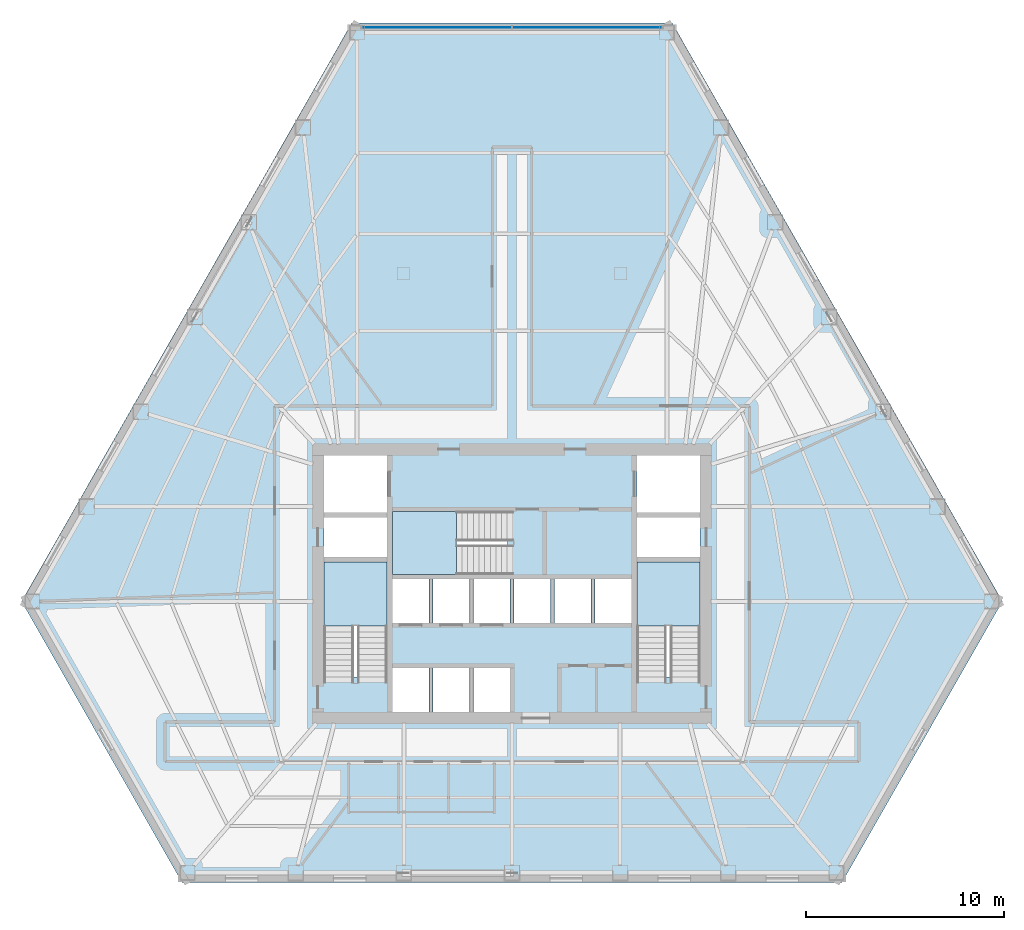
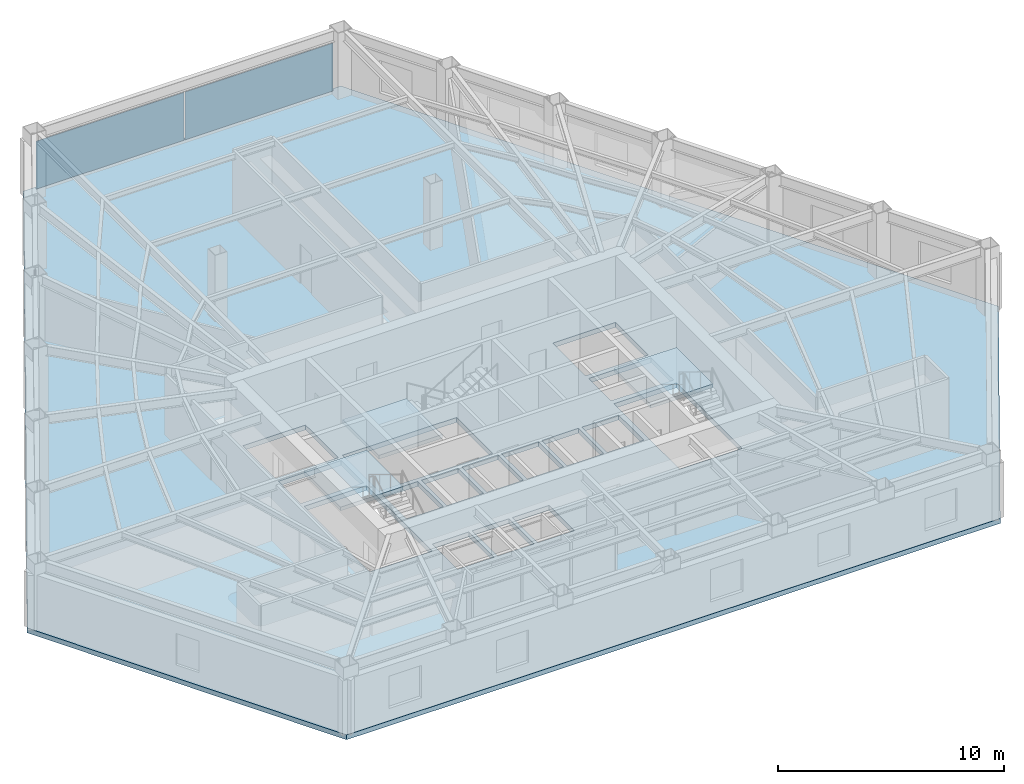
# One storey, part 4 of 12: 4 slabs, 2 plates, 4 elements without a shape of their own.
"""IFC4 building model written with IfcOpenShell, lengths in metres."""

from ifc_helpers import new_model, si_unit, direction, frame, origin, origin_2d, place, context, subcontext, project, spatial, polyline, rectangle, outline, extrude, material, layer, layer_set, type_object, element, aggregate, save


model = new_model("IFC4")

# Units and contexts
model_context = context("Model", 3, precision=1e-05, world=origin(), true_north=direction((0.0, 1.0)))
body_context = subcontext(model_context, "Body", "Model", "MODEL_VIEW")
ifc_project = project(units=[si_unit("LENGTHUNIT", "METRE"), si_unit("AREAUNIT", "SQUARE_METRE"), si_unit("VOLUMEUNIT", "CUBIC_METRE"), si_unit("PLANEANGLEUNIT", "RADIAN"), si_unit("MASSUNIT", "GRAM", prefix="KILO")], contexts=[model_context])

# Site, building, storey
site_placement = place(None, origin())
site = spatial("IfcSite", under=ifc_project, at=site_placement, CompositionType="ELEMENT")
building_placement = place(site_placement, origin())
building = spatial("IfcBuilding", under=site, at=building_placement, Name="Kavelnor Concourse Tower", CompositionType="ELEMENT")
storey_placement = place(building_placement, frame((0.0, 0.0, 21.39990234375)))
storey = spatial("IfcBuildingStorey", under=building, at=storey_placement, Name="L05", CompositionType="ELEMENT", Elevation=21.39990234375)

# Curtain wall, plates
ifc_material_1 = material(Name="Anodised aluminium 6063-T6", Category="aluminium")
ifc_layer_1 = layer(ifc_material_1, 0.155029296875, Name="Anodised aluminium 6063-T6")
ifc_layer_set_1 = layer_set([ifc_layer_1], Name="Anodised aluminium 6063-T6")
curtain_wall_type = type_object("IfcCurtainWallType", Name="CW-CORNER-ACCENT", PredefinedType="NOTDEFINED", material=ifc_layer_set_1)
curtain_wall_placement = place(storey_placement, origin())
curtain_wall = element("IfcCurtainWall", 1, at=curtain_wall_placement, inside=storey, type_object=curtain_wall_type, Name="L05 Chamfer Corner Glazed Accent C0", PredefinedType="NOTDEFINED")
ifc_material_2 = material(Name="Double low-E argon insulated glazing", Category="glass")
ifc_layer_2 = layer(ifc_material_2, 0.02587890625, Name="Double low-E argon insulated glazing")
ifc_layer_set_2 = layer_set([ifc_layer_2], Name="Double low-E argon insulated glazing")
plate_type = type_object("IfcPlateType", Name="CW-CORNER-ACCENT-PANEL", PredefinedType="CURTAIN_PANEL", material=ifc_layer_set_2)
plate_1_placement = place(storey_placement, frame((34.19091796875, 44.25732421875, 0.06005859375), z_axis=(0.0, 0.0, 1.0), x_axis=(1.0, 0.0, 0.0)))
plate_1 = element("IfcPlate", 2, at=plate_1_placement, type_object=plate_type, Name="L05 Chamfer Corner Glazed Accent C0 Vision Panel 1", PredefinedType="CURTAIN_PANEL", context=body_context, shape_type="SweptSolid", body=[
    extrude(rectangle(XDim=7.564453125, YDim=0.02587890625, at=origin_2d()), origin(), (0.0, 0.0, 1.0), 2.580078125),
])
plate_2_placement = place(storey_placement, frame((41.80908203125, 44.25732421875, 0.06005859375), z_axis=(0.0, 0.0, 1.0), x_axis=(1.0, 0.0, 0.0)))
plate_2 = element("IfcPlate", 3, at=plate_2_placement, type_object=plate_type, Name="L05 Chamfer Corner Glazed Accent C0 Vision Panel 2", PredefinedType="CURTAIN_PANEL", context=body_context, shape_type="SweptSolid", body=[
    extrude(rectangle(XDim=7.564453125, YDim=0.02587890625, at=origin_2d()), origin(), (0.0, 0.0, 1.0), 2.580078125),
])
aggregate(curtain_wall, [plate_1, plate_2])

# Stair, slab
ifc_material_3 = material(Name="Concrete C40/50", Category="concrete")
stair_type = type_object("IfcStairType", Name="STR-CORE-1500", PredefinedType="HALF_TURN_STAIR", material=ifc_material_3)
stair_1_placement = place(storey_placement, origin())
stair_1 = element("IfcStair", 4, at=stair_1_placement, inside=storey, type_object=stair_type, Name="L05 ST1", PredefinedType="HALF_TURN_STAIR")
ifc_layer_3 = layer(ifc_material_3, 0.199951171875, Name="Concrete C40/50")
ifc_layer_set_3 = layer_set([ifc_layer_3], Name="Concrete C40/50")
slab_type_1 = type_object("IfcSlabType", Name="SLB-LANDING-200", PredefinedType="LANDING", material=ifc_layer_set_3)
slab_1_placement = place(storey_placement, frame((0.0, 0.0, 1.72509765625)))
slab_1 = element("IfcSlab", 5, at=slab_1_placement, type_object=slab_type_1, Name="ST1 landing 1", PredefinedType="LANDING", context=body_context, shape_type="SweptSolid", body=[
    extrude(outline(polyline([(31.679931640625, 13.949951171875), (31.679931640625, 17.199951171875), (28.47998046875, 17.199951171875), (28.47998046875, 13.949951171875), (31.679931640625, 13.949951171875)])), origin(), (0.0, 0.0, 1.0), 0.199951171875),
])
aggregate(stair_1, [slab_1])

stair_2_placement = place(storey_placement, origin())
stair_2 = element("IfcStair", 6, at=stair_2_placement, inside=storey, type_object=stair_type, Name="L05 ST2", PredefinedType="HALF_TURN_STAIR")
slab_2_placement = place(storey_placement, frame((0.0, 0.0, 1.72509765625)))
slab_2 = element("IfcSlab", 7, at=slab_2_placement, type_object=slab_type_1, Name="ST2 landing 1", PredefinedType="LANDING", context=body_context, shape_type="SweptSolid", body=[
    extrude(outline(polyline([(47.52001953125, 13.949951171875), (47.52001953125, 17.199951171875), (44.320068359375, 17.199951171875), (44.320068359375, 13.949951171875), (47.52001953125, 13.949951171875)])), origin(), (0.0, 0.0, 1.0), 0.199951171875),
])
aggregate(stair_2, [slab_2])

stair_3_placement = place(storey_placement, origin())
stair_3 = element("IfcStair", 8, at=stair_3_placement, inside=storey, type_object=stair_type, Name="L05 ST3", PredefinedType="HALF_TURN_STAIR")
slab_3_placement = place(storey_placement, frame((0.0, 0.0, 1.72509765625)))
slab_3 = element("IfcSlab", 9, at=slab_3_placement, type_object=slab_type_1, Name="ST3 landing 1", PredefinedType="LANDING", context=body_context, shape_type="SweptSolid", body=[
    extrude(outline(polyline([(35.18994140625, 19.760009765625), (31.93994140625, 19.760009765625), (31.93994140625, 16.56005859375), (35.18994140625, 16.56005859375), (35.18994140625, 19.760009765625)])), origin(), (0.0, 0.0, 1.0), 0.199951171875),
])
aggregate(stair_3, [slab_3])

# Slab
ifc_layer_4 = layer(ifc_material_3, 0.260009765625, Name="Concrete C40/50")
ifc_layer_set_4 = layer_set([ifc_layer_4], Name="Concrete C40/50")
slab_type_2 = type_object("IfcSlabType", Name="SLB-OFFICE-260", PredefinedType="FLOOR", material=ifc_layer_set_4)
slab_4_placement = place(storey_placement, frame((0.0, 0.0, -0.260009765625)))
element("IfcSlab", 10, at=slab_4_placement, inside=storey, type_object=slab_type_2, Name="L05 Composite Structural Floor Slab", PredefinedType="FLOOR", context=body_context, shape_type="SweptSolid", body=[
    extrude(outline(polyline([(46.118408203125, 44.46728515625), (29.881591796875, 44.46728515625), (13.179931640625, 15.206298828125), (21.298095703125, 0.98291015625), (54.701904296875, 0.98291015625), (62.820068359375, 15.206298828125), (46.118408203125, 44.46728515625)]), holes=[polyline([(28.47998046875, 11.3798828125), (31.679931640625, 11.3798828125), (31.679931640625, 17.199951171875), (28.47998046875, 17.199951171875), (28.47998046875, 11.3798828125)]), polyline([(44.320068359375, 11.3798828125), (47.52001953125, 11.3798828125), (47.52001953125, 17.199951171875), (44.320068359375, 17.199951171875), (44.320068359375, 11.3798828125)]), polyline([(31.93994140625, 16.56005859375), (37.760009765625, 16.56005859375), (37.760009765625, 19.760009765625), (31.93994140625, 19.760009765625), (31.93994140625, 16.56005859375)]), polyline([(28.47998046875, 19.699951171875), (31.679931640625, 19.699951171875), (31.679931640625, 22.60009765625), (28.47998046875, 22.60009765625), (28.47998046875, 19.699951171875)]), polyline([(44.320068359375, 19.699951171875), (47.52001953125, 19.699951171875), (47.52001953125, 22.60009765625), (44.320068359375, 22.60009765625), (44.320068359375, 19.699951171875)]), polyline([(31.93994140625, 14.10009765625), (33.81005859375, 14.10009765625), (33.81005859375, 16.340087890625), (31.93994140625, 16.340087890625), (31.93994140625, 14.10009765625)]), polyline([(33.989990234375, 14.10009765625), (35.860107421875, 14.10009765625), (35.860107421875, 16.340087890625), (33.989990234375, 16.340087890625), (33.989990234375, 14.10009765625)]), polyline([(36.0400390625, 14.10009765625), (37.909912109375, 14.10009765625), (37.909912109375, 16.340087890625), (36.0400390625, 16.340087890625), (36.0400390625, 14.10009765625)]), polyline([(38.090087890625, 14.10009765625), (39.9599609375, 14.10009765625), (39.9599609375, 16.340087890625), (38.090087890625, 16.340087890625), (38.090087890625, 14.10009765625)]), polyline([(40.139892578125, 14.10009765625), (42.010009765625, 14.10009765625), (42.010009765625, 16.340087890625), (40.139892578125, 16.340087890625), (40.139892578125, 14.10009765625)]), polyline([(42.18994140625, 14.10009765625), (44.06005859375, 14.10009765625), (44.06005859375, 16.340087890625), (42.18994140625, 16.340087890625), (42.18994140625, 14.10009765625)]), polyline([(31.93994140625, 9.60009765625), (33.81005859375, 9.60009765625), (33.81005859375, 11.840087890625), (31.93994140625, 11.840087890625), (31.93994140625, 9.60009765625)]), polyline([(33.989990234375, 9.60009765625), (35.860107421875, 9.60009765625), (35.860107421875, 11.840087890625), (33.989990234375, 11.840087890625), (33.989990234375, 9.60009765625)]), polyline([(36.0400390625, 9.60009765625), (37.909912109375, 9.60009765625), (37.909912109375, 11.840087890625), (36.0400390625, 11.840087890625), (36.0400390625, 9.60009765625)]), polyline([(28.47998046875, 17.4599609375), (31.679931640625, 17.4599609375), (31.679931640625, 19.43994140625), (28.47998046875, 19.43994140625), (28.47998046875, 17.4599609375)]), polyline([(44.320068359375, 17.4599609375), (47.52001953125, 17.4599609375), (47.52001953125, 19.43994140625), (44.320068359375, 19.43994140625), (44.320068359375, 17.4599609375)])]), origin(), (0.0, 0.0, 1.0), 0.260009765625),
])

save(model, "model.ifc")
